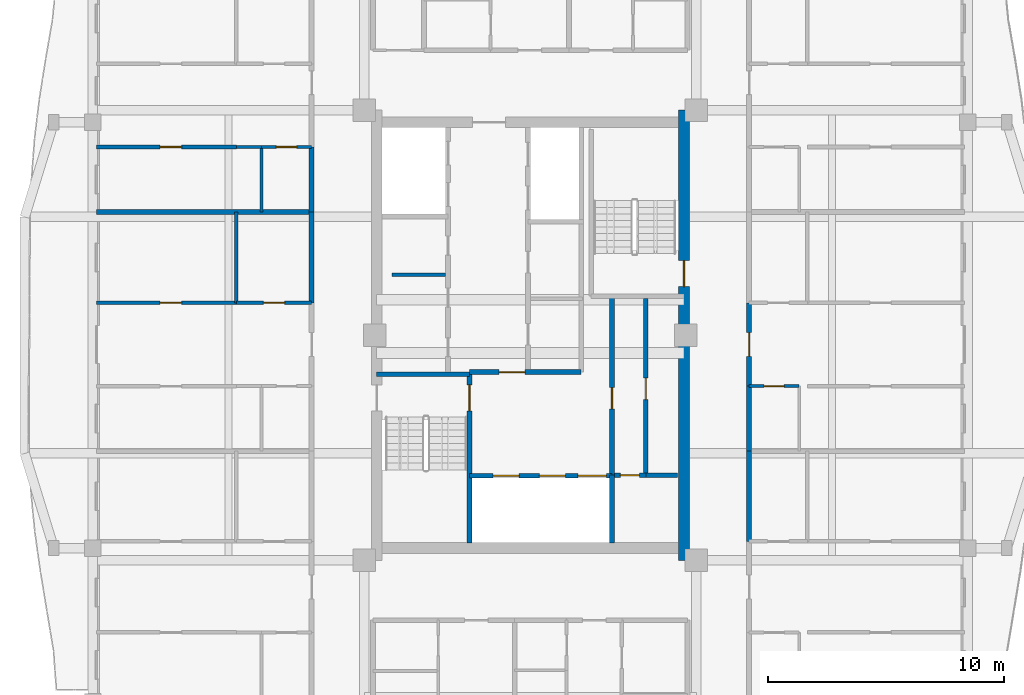
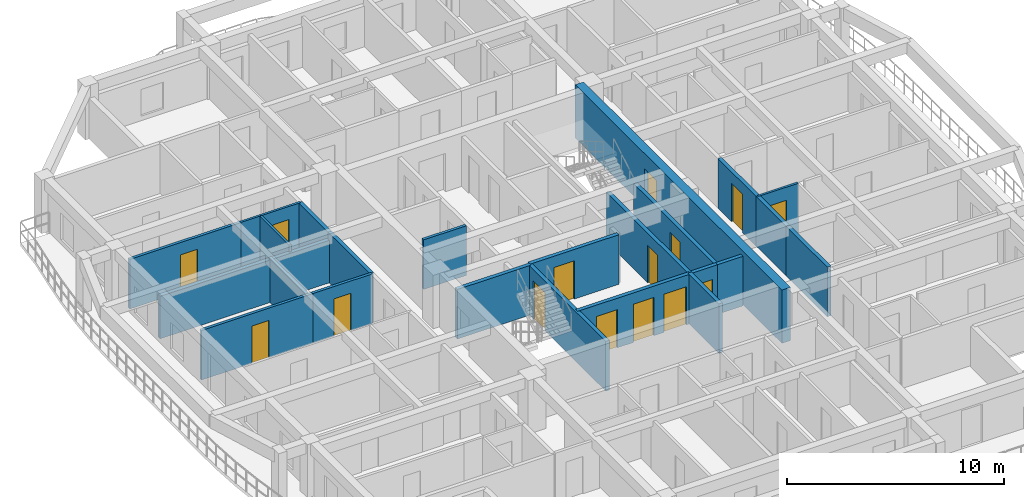
# One storey, part 4 of 14: 25 walls, 15 doors, 15 openings.
"""IFC4 building model written with IfcOpenShell, lengths in metres."""

from ifc_helpers import new_model, si_unit, direction, frame, frame_2d, origin, place, context, subcontext, project, spatial, rectangle, extrude, source, transform, mapped, material, layer, layer_set, type_object, element, fill, save


model = new_model("IFC4")

# Units and contexts
model_context = context("Model", 3, precision=1e-05, world=origin(), true_north=direction((0.0, 1.0)))
body_context = subcontext(model_context, "Body", "Model", "MODEL_VIEW")
ifc_project = project(units=[si_unit("LENGTHUNIT", "METRE"), si_unit("AREAUNIT", "SQUARE_METRE"), si_unit("VOLUMEUNIT", "CUBIC_METRE"), si_unit("PLANEANGLEUNIT", "RADIAN"), si_unit("MASSUNIT", "GRAM", prefix="KILO")], contexts=[model_context])

# Site, building, storey
site_placement = place(None, origin())
site = spatial("IfcSite", under=ifc_project, at=site_placement, CompositionType="ELEMENT")
building_placement = place(site_placement, origin())
building = spatial("IfcBuilding", under=site, at=building_placement, Name="Saelheon Loggia Tower", CompositionType="ELEMENT")
storey_placement = place(building_placement, frame((0.0, 0.0, 213.300048828125)))
storey = spatial("IfcBuildingStorey", under=building, at=storey_placement, Name="L66", CompositionType="ELEMENT", Elevation=213.300048828125)

# Wall, opening, door
ifc_material_1 = material(Name="Concrete C45/55", Category="concrete")
ifc_layer_1 = layer(ifc_material_1, 0.449951171875)
ifc_layer_set_1 = layer_set([ifc_layer_1], Name="Concrete C45/55")
wall_type_1 = type_object("IfcWallType", Name="Wall_CoreShear_450", PredefinedType="SHEAR", material=ifc_layer_set_1)
wall_1_placement = place(storey_placement, frame((44.5, 17.47998046875, 0.0), z_axis=(0.0, 0.0, 1.0), x_axis=(0.0, 1.0, 0.0)))
wall_1 = element("IfcWall", 1, at=wall_1_placement, inside=storey, type_object=wall_type_1, Name="L66 Core Shear Wall East", PredefinedType="SHEAR", context=body_context, shape_type="SweptSolid", body=[
    extrude(rectangle(XDim=19.0400390625, YDim=0.449951171875, at=frame_2d((9.52001953125, 0.0))), origin(), (0.0, 0.0, 1.0), 3.0),
])
opening_1_placement = place(wall_1_placement, frame((12.670166015625, 0.0, 0.0), z_axis=(0.0, 0.0, 1.0), x_axis=(-1.0, 0.0, 0.0)))
opening_1 = element("IfcOpeningElement", 2, at=opening_1_placement, cuts=wall_1, Name="Opening D-FD2", PredefinedType="OPENING", context=body_context, shape_type="SweptSolid", body=[
    extrude(rectangle(XDim=1.10009765625, YDim=2.14990234375, at=frame_2d((0.550048828125, 1.074951171875))), frame((0.0, 0.237060546875, 0.0), z_axis=(0.0, -1.0, 0.0), x_axis=(1.0, 0.0, 0.0)), (0.0, 0.0, 1.0), 0.473876953125),
])
ifc_material_2 = material(Name="Galvanised Steel Fire Door", Category="steel")
door_type_1 = type_object("IfcDoorType", Name="Door_Fire_FD60_1100", OperationType="NOTDEFINED", PredefinedType="DOOR", material=ifc_material_2)
shared_shape_1 = source(origin(), body_context, "Body", "SweptSolid", [
    extrude(rectangle(XDim=1.10009765625, YDim=2.14990234375, at=frame_2d((0.550048828125, 1.074951171875))), frame((0.0, 0.02490234375, 0.0), z_axis=(0.0, -1.0, 0.0), x_axis=(1.0, 0.0, 0.0)), (0.0, 0.0, 1.0), 0.050048828125),
])
door_1_placement = place(opening_1_placement, origin())
door_1 = element("IfcDoor", 3, at=door_1_placement, inside=storey, type_object=door_type_1, Name="L66 Stair ST2 Corridor Door", OperationType="SINGLE_SWING_RIGHT", OverallHeight=2.14990234375, OverallWidth=1.10009765625, PredefinedType="DOOR", context=body_context, shape_type="MappedRepresentation", body=[
    mapped(shared_shape_1, transform((0.0, 0.0, 0.0), scale=1.0)),
])
fill(opening_1, door_1)

# Walls
ifc_material_3 = material(Name="Lightweight Autoclaved Aerated Concrete Block and Acoustic Gypsum", Category="concrete")
ifc_layer_2 = layer(ifc_material_3, 0.14990234375)
ifc_layer_set_2 = layer_set([ifc_layer_2], Name="Lightweight Autoclaved Aerated Concrete Block and Acoustic Gypsum")
wall_type_2 = type_object("IfcWallType", Name="Wall_Part_150", PredefinedType="PARTITIONING", material=ifc_layer_set_2)
wall_2_placement = place(storey_placement, frame((32.14990234375, 29.550048828125, 0.0), z_axis=(0.0, 0.0, 1.0), x_axis=(1.0, 0.0, 0.0)))
element("IfcWall", 4, at=wall_2_placement, inside=storey, type_object=wall_type_2, Name="L66 Freed Core Partition PL1", PredefinedType="PARTITIONING", context=body_context, shape_type="SweptSolid", body=[
    extrude(rectangle(XDim=2.27001953125, YDim=0.14990234375, at=frame_2d((1.135009765625, 0.0))), origin(), (0.0, 0.0, 1.0), 2.7900390625),
])
wall_3_placement = place(storey_placement, frame((25.570068359375, 28.366455078125, 0.0), z_axis=(0.0, 0.0, 1.0), x_axis=(0.0, 1.0, 0.0)))
element("IfcWall", 5, at=wall_3_placement, inside=storey, type_object=wall_type_2, Name="L66 W Partition V18", PredefinedType="PARTITIONING", context=body_context, shape_type="SweptSolid", body=[
    extrude(rectangle(XDim=3.84228515625, YDim=0.14990234375, at=frame_2d((1.921142578125, 0.0))), origin(), (0.0, 0.0, 1.0), 2.489990234375),
])

# Wall, opening, door
wall_4_placement = place(storey_placement, frame((28.75, 28.366455078125, 0.0), z_axis=(0.0, 0.0, 1.0), x_axis=(-1.0, 0.0, 0.0)))
wall_4 = element("IfcWall", 6, at=wall_4_placement, inside=storey, type_object=wall_type_2, Name="L66 W Partition U22", PredefinedType="PARTITIONING", context=body_context, shape_type="SweptSolid", body=[
    extrude(rectangle(XDim=3.179931640625, YDim=0.14990234375, at=frame_2d((1.58984375, 0.0))), origin(), (0.0, 0.0, 1.0), 2.7900390625),
])
opening_2_placement = place(wall_4_placement, frame((1.139892578125, 0.0, 0.0)))
opening_2 = element("IfcOpeningElement", 7, at=opening_2_placement, cuts=wall_4, Name="Opening D-IN2", PredefinedType="OPENING", context=body_context, shape_type="SweptSolid", body=[
    extrude(rectangle(XDim=0.89990234375, YDim=2.10009765625, at=frame_2d((0.449951171875, 1.050048828125))), frame((0.0, 0.0869140625, 0.0), z_axis=(0.0, -1.0, 0.0), x_axis=(1.0, 0.0, 0.0)), (0.0, 0.0, 1.0), 0.173828125),
])
ifc_material_4 = material(Name="Engineered Oak Flush Door", Category="timber")
door_type_2 = type_object("IfcDoorType", Name="Door_Int_900", OperationType="NOTDEFINED", PredefinedType="DOOR", material=ifc_material_4)
shared_shape_2 = source(origin(), body_context, "Body", "SweptSolid", [
    extrude(rectangle(XDim=0.89990234375, YDim=2.10009765625, at=frame_2d((0.449951171875, 1.050048828125))), frame((0.0, 0.02490234375, 0.0), z_axis=(0.0, -1.0, 0.0), x_axis=(1.0, 0.0, 0.0)), (0.0, 0.0, 1.0), 0.050048828125),
])
door_2_placement = place(opening_2_placement, origin())
door_2 = element("IfcDoor", 8, at=door_2_placement, inside=storey, type_object=door_type_2, Name="Unit U06 Dressing Closet Door", OperationType="SINGLE_SWING_RIGHT", OverallHeight=2.10009765625, OverallWidth=0.89990234375, PredefinedType="DOOR", context=body_context, shape_type="MappedRepresentation", body=[
    mapped(shared_shape_2, transform((0.0, 0.0, 0.0), scale=1.0)),
])
fill(opening_2, door_2)

wall_5_placement = place(storey_placement, frame((25.570068359375, 28.366455078125, 0.0), z_axis=(0.0, 0.0, 1.0), x_axis=(-1.0, 0.0, 0.0)))
wall_5 = element("IfcWall", 9, at=wall_5_placement, inside=storey, type_object=wall_type_2, Name="L66 W Partition U23", PredefinedType="PARTITIONING", context=body_context, shape_type="SweptSolid", body=[
    extrude(rectangle(XDim=5.920166015625, YDim=0.14990234375, at=frame_2d((2.9599609375, 0.0))), origin(), (0.0, 0.0, 1.0), 2.7900390625),
])
opening_3_placement = place(wall_5_placement, frame((2.32080078125, 0.0, 0.0)))
opening_3 = element("IfcOpeningElement", 10, at=opening_3_placement, cuts=wall_5, Name="Opening D-IN2", PredefinedType="OPENING", context=body_context, shape_type="SweptSolid", body=[
    extrude(rectangle(XDim=0.89990234375, YDim=2.10009765625, at=frame_2d((0.449951171875, 1.050048828125))), frame((0.0, 0.0869140625, 0.0), z_axis=(0.0, -1.0, 0.0), x_axis=(1.0, 0.0, 0.0)), (0.0, 0.0, 1.0), 0.173828125),
])
door_3_placement = place(opening_3_placement, origin())
door_3 = element("IfcDoor", 11, at=door_3_placement, inside=storey, type_object=door_type_2, Name="Unit U06 Bedroom 1 Door", OperationType="SINGLE_SWING_LEFT", OverallHeight=2.10009765625, OverallWidth=0.89990234375, PredefinedType="DOOR", context=body_context, shape_type="MappedRepresentation", body=[
    mapped(shared_shape_2, transform((0.0, 0.0, 0.0), scale=1.0)),
])
fill(opening_3, door_3)

wall_6_placement = place(storey_placement, frame((25.570068359375, 34.958740234375, 0.0), z_axis=(0.0, 0.0, 1.0), x_axis=(-1.0, 0.0, 0.0)))
wall_6 = element("IfcWall", 12, at=wall_6_placement, inside=storey, type_object=wall_type_2, Name="L66 W Partition U32", PredefinedType="PARTITIONING", context=body_context, shape_type="SweptSolid", body=[
    extrude(rectangle(XDim=5.920166015625, YDim=0.14990234375, at=frame_2d((2.9599609375, 0.0))), origin(), (0.0, 0.0, 1.0), 2.7900390625),
])
opening_4_placement = place(wall_6_placement, frame((2.32080078125, 0.0, 0.0)))
opening_4 = element("IfcOpeningElement", 13, at=opening_4_placement, cuts=wall_6, Name="Opening D-IN2", PredefinedType="OPENING", context=body_context, shape_type="SweptSolid", body=[
    extrude(rectangle(XDim=0.89990234375, YDim=2.10009765625, at=frame_2d((0.449951171875, 1.050048828125))), frame((0.0, 0.0869140625, 0.0), z_axis=(0.0, -1.0, 0.0), x_axis=(1.0, 0.0, 0.0)), (0.0, 0.0, 1.0), 0.173828125),
])
door_4_placement = place(opening_4_placement, origin())
door_4 = element("IfcDoor", 14, at=door_4_placement, inside=storey, type_object=door_type_2, Name="Unit U07 Kitchen Door", OperationType="SINGLE_SWING_RIGHT", OverallHeight=2.10009765625, OverallWidth=0.89990234375, PredefinedType="DOOR", context=body_context, shape_type="MappedRepresentation", body=[
    mapped(shared_shape_2, transform((0.0, 0.0, 0.0), scale=1.0)),
])
fill(opening_4, door_4)

# Walls
ifc_material_5 = material(Name="Double Acoustic Stud and Fireboard Partition", Category="gypsum")
ifc_layer_3 = layer(ifc_material_5, 0.199951171875)
ifc_layer_set_3 = layer_set([ifc_layer_3], Name="Double Acoustic Stud and Fireboard Partition")
wall_type_3 = type_object("IfcWallType", Name="Wall_Party_200", PredefinedType="PARTITIONING", material=ifc_layer_set_3)
wall_7_placement = place(storey_placement, frame((28.75, 28.366455078125, 0.0), z_axis=(0.0, 0.0, 1.0), x_axis=(0.0, 1.0, 0.0)))
element("IfcWall", 15, at=wall_7_placement, inside=storey, type_object=wall_type_3, Name="L66 W Partition V16", PredefinedType="PARTITIONING", context=body_context, shape_type="SweptSolid", body=[
    extrude(rectangle(XDim=3.84228515625, YDim=0.199951171875, at=frame_2d((1.921142578125, 0.0))), origin(), (0.0, 0.0, 1.0), 2.7900390625),
])
wall_8_placement = place(storey_placement, frame((28.75, 32.208740234375, 0.0), z_axis=(0.0, 0.0, 1.0), x_axis=(-1.0, 0.0, 0.0)))
element("IfcWall", 16, at=wall_8_placement, inside=storey, type_object=wall_type_3, Name="L66 W Partition U24", PredefinedType="PARTITIONING", context=body_context, shape_type="SweptSolid", body=[
    extrude(rectangle(XDim=9.10009765625, YDim=0.199951171875, at=frame_2d((4.550048828125, 0.0))), origin(), (0.0, 0.0, 1.0), 2.389892578125),
])
wall_9_placement = place(storey_placement, frame((28.75, 32.208740234375, 0.0), z_axis=(0.0, 0.0, 1.0), x_axis=(0.0, 1.0, 0.0)))
element("IfcWall", 17, at=wall_9_placement, inside=storey, type_object=wall_type_3, Name="L66 W Partition V25", PredefinedType="PARTITIONING", context=body_context, shape_type="SweptSolid", body=[
    extrude(rectangle(XDim=2.75, YDim=0.199951171875, at=frame_2d((1.375, 0.0))), origin(), (0.0, 0.0, 1.0), 2.7900390625),
])
wall_10_placement = place(storey_placement, frame((47.25, 18.280029296875, 0.0), z_axis=(0.0, 0.0, 1.0), x_axis=(0.0, 1.0, 0.0)))
element("IfcWall", 18, at=wall_10_placement, inside=storey, type_object=wall_type_3, Name="L66 E Partition V05", PredefinedType="PARTITIONING", context=body_context, shape_type="SweptSolid", body=[
    extrude(rectangle(XDim=3.817626953125, YDim=0.199951171875, at=frame_2d((1.90869140625, 0.0))), origin(), (0.0, 0.0, 1.0), 2.7900390625),
])
wall_11_placement = place(storey_placement, frame((47.25, 22.09765625, 0.0), z_axis=(0.0, 0.0, 1.0), x_axis=(0.0, 1.0, 0.0)))
element("IfcWall", 19, at=wall_11_placement, inside=storey, type_object=wall_type_3, Name="L66 E Partition V13", PredefinedType="PARTITIONING", context=body_context, shape_type="SweptSolid", body=[
    extrude(rectangle(XDim=2.75, YDim=0.199951171875, at=frame_2d((1.375, 0.0))), origin(), (0.0, 0.0, 1.0), 2.7900390625),
])

# Wall, opening, door
wall_12_placement = place(storey_placement, frame((47.25, 24.84765625, 0.0), z_axis=(0.0, 0.0, 1.0), x_axis=(0.0, 1.0, 0.0)))
wall_12 = element("IfcWall", 20, at=wall_12_placement, inside=storey, type_object=wall_type_3, Name="L66 E Partition V14", PredefinedType="PARTITIONING", context=body_context, shape_type="SweptSolid", body=[
    extrude(rectangle(XDim=3.518798828125, YDim=0.199951171875, at=frame_2d((1.75927734375, 0.0))), origin(), (0.0, 0.0, 1.0), 2.7900390625),
])
opening_5_placement = place(wall_12_placement, frame((1.259521484375, 0.0, 0.0)))
opening_5 = element("IfcOpeningElement", 21, at=opening_5_placement, cuts=wall_12, Name="Opening D-FD1", PredefinedType="OPENING", context=body_context, shape_type="SweptSolid", body=[
    extrude(rectangle(XDim=1.0, YDim=2.14990234375, at=frame_2d((0.5, 1.074951171875))), frame((0.0, 0.112060546875, 0.0), z_axis=(0.0, -1.0, 0.0), x_axis=(1.0, 0.0, 0.0)), (0.0, 0.0, 1.0), 0.223876953125),
])
ifc_material_6 = material(Name="Fire-Rated Engineered Timber Entrance Door", Category="wood")
door_type_3 = type_object("IfcDoorType", Name="Door_Flat_FD30S", OperationType="NOTDEFINED", PredefinedType="DOOR", material=ifc_material_6)
shared_shape_3 = source(origin(), body_context, "Body", "SweptSolid", [
    extrude(rectangle(XDim=1.0, YDim=2.14990234375, at=frame_2d((0.5, 1.074951171875))), frame((0.0, 0.02490234375, 0.0), z_axis=(0.0, -1.0, 0.0), x_axis=(1.0, 0.0, 0.0)), (0.0, 0.0, 1.0), 0.050048828125),
])
door_5_placement = place(opening_5_placement, origin())
door_5 = element("IfcDoor", 22, at=door_5_placement, inside=storey, type_object=door_type_3, Name="Unit U09 Entrance Door", OperationType="SINGLE_SWING_RIGHT", OverallHeight=2.14990234375, OverallWidth=1.0, PredefinedType="DOOR", context=body_context, shape_type="MappedRepresentation", body=[
    mapped(shared_shape_3, transform((0.0, 0.0, 0.0), scale=1.0)),
])
fill(opening_5, door_5)

ifc_material_7 = material(Name="Concrete C40/50", Category="concrete")
ifc_layer_4 = layer(ifc_material_7, 0.199951171875)
ifc_layer_set_4 = layer_set([ifc_layer_4], Name="Concrete C40/50")
wall_type_4 = type_object("IfcWallType", Name="Wall_Shaft_200", PredefinedType="PARTITIONING", material=ifc_layer_set_4)
wall_13_placement = place(storey_placement, frame((41.550048828125, 21.080078125, 0.0), z_axis=(0.0, 0.0, 1.0), x_axis=(1.0, 0.0, 0.0)))
wall_13 = element("IfcWall", 23, at=wall_13_placement, inside=storey, type_object=wall_type_4, Name="CW-BOH-L66-HS", PredefinedType="PARTITIONING", context=body_context, shape_type="SweptSolid", body=[
    extrude(rectangle(XDim=1.329833984375, YDim=0.199951171875, at=frame_2d((0.6650390625, 0.0))), origin(), (0.0, 0.0, 1.0), 2.7900390625),
])
opening_6_placement = place(wall_13_placement, frame((0.260009765625, 0.0, 0.0)))
opening_6 = element("IfcOpeningElement", 24, at=opening_6_placement, cuts=wall_13, Name="Opening D-ST1", PredefinedType="OPENING", context=body_context, shape_type="SweptSolid", body=[
    extrude(rectangle(XDim=0.800048828125, YDim=2.050048828125, at=frame_2d((0.39990234375, 1.02490234375))), frame((0.0, 0.112060546875, 0.0), z_axis=(0.0, -1.0, 0.0), x_axis=(1.0, 0.0, 0.0)), (0.0, 0.0, 1.0), 0.223876953125),
])
ifc_material_8 = material(Name="Powder-Coated Steel Store Door", Category="steel")
door_type_4 = type_object("IfcDoorType", Name="Door_Store_800", OperationType="NOTDEFINED", PredefinedType="DOOR", material=ifc_material_8)
shared_shape_4 = source(origin(), body_context, "Body", "SweptSolid", [
    extrude(rectangle(XDim=0.800048828125, YDim=2.050048828125, at=frame_2d((0.39990234375, 1.02490234375))), frame((0.0, 0.02490234375, 0.0), z_axis=(0.0, -1.0, 0.0), x_axis=(1.0, 0.0, 0.0)), (0.0, 0.0, 1.0), 0.050048828125),
])
door_6_placement = place(opening_6_placement, origin())
door_6 = element("IfcDoor", 25, at=door_6_placement, inside=storey, type_object=door_type_4, Name="L66 Electrical Riser Door", OperationType="SINGLE_SWING_LEFT", OverallHeight=2.050048828125, OverallWidth=0.800048828125, PredefinedType="DOOR", context=body_context, shape_type="MappedRepresentation", body=[
    mapped(shared_shape_4, transform((0.0, 0.0, 0.0), scale=1.0)),
])
fill(opening_6, door_6)

# Wall
wall_14_placement = place(storey_placement, frame((42.8798828125, 21.080078125, 0.0), z_axis=(0.0, 0.0, 1.0), x_axis=(1.0, 0.0, 0.0)))
element("IfcWall", 26, at=wall_14_placement, inside=storey, type_object=wall_type_4, Name="CW-BOH-L66-HS2", PredefinedType="PARTITIONING", context=body_context, shape_type="SweptSolid", body=[
    extrude(rectangle(XDim=1.340087890625, YDim=0.199951171875, at=frame_2d((0.669921875, 0.0))), origin(), (0.0, 0.0, 1.0), 2.7900390625),
])

# Wall, opening, door
wall_15_placement = place(storey_placement, frame((42.8798828125, 21.080078125, 0.0), z_axis=(0.0, 0.0, 1.0), x_axis=(0.0, 1.0, 0.0)))
wall_15 = element("IfcWall", 27, at=wall_15_placement, inside=storey, type_object=wall_type_4, Name="CW-BOH-L66-VS", PredefinedType="PARTITIONING", context=body_context, shape_type="SweptSolid", body=[
    extrude(rectangle(XDim=7.469970703125, YDim=0.199951171875, at=frame_2d((3.73486328125, 0.0))), origin(), (0.0, 0.0, 1.0), 2.7900390625),
])
opening_7_placement = place(wall_15_placement, frame((3.199951171875, 0.0, 0.0)))
opening_7 = element("IfcOpeningElement", 28, at=opening_7_placement, cuts=wall_15, Name="Opening D-RS1", PredefinedType="OPENING", context=body_context, shape_type="SweptSolid", body=[
    extrude(rectangle(XDim=0.89990234375, YDim=2.10009765625, at=frame_2d((0.449951171875, 1.050048828125))), frame((0.0, 0.112060546875, 0.0), z_axis=(0.0, -1.0, 0.0), x_axis=(1.0, 0.0, 0.0)), (0.0, 0.0, 1.0), 0.223876953125),
])
ifc_material_9 = material(Name="Galvanised Steel Riser Access Door", Category="steel")
door_type_5 = type_object("IfcDoorType", Name="Door_Riser_FD60", OperationType="NOTDEFINED", PredefinedType="DOOR", material=ifc_material_9)
door_7_placement = place(opening_7_placement, origin())
door_7 = element("IfcDoor", 29, at=door_7_placement, inside=storey, type_object=door_type_5, Name="L66 Linen Store Door", OperationType="SINGLE_SWING_RIGHT", OverallHeight=2.10009765625, OverallWidth=0.89990234375, PredefinedType="DOOR", context=body_context, shape_type="MappedRepresentation", body=[
    mapped(shared_shape_2, transform((0.0, 0.0, 0.0), scale=1.0)),
])
fill(opening_7, door_7)

# Wall
wall_16_placement = place(storey_placement, frame((41.449951171875, 18.219970703125, 0.0), z_axis=(0.0, 0.0, 1.0), x_axis=(0.0, 1.0, 0.0)))
element("IfcWall", 30, at=wall_16_placement, inside=storey, type_object=wall_type_4, Name="CW-INT-L66-BOH-W0", PredefinedType="PARTITIONING", context=body_context, shape_type="SweptSolid", body=[
    extrude(rectangle(XDim=2.860107421875, YDim=0.199951171875, at=frame_2d((1.43017578125, 0.0))), origin(), (0.0, 0.0, 1.0), 2.7900390625),
])

# Wall, opening, door
wall_17_placement = place(storey_placement, frame((41.449951171875, 21.080078125, 0.0), z_axis=(0.0, 0.0, 1.0), x_axis=(0.0, 1.0, 0.0)))
wall_17 = element("IfcWall", 31, at=wall_17_placement, inside=storey, type_object=wall_type_4, Name="CW-INT-L66-BOH-W1", PredefinedType="PARTITIONING", context=body_context, shape_type="SweptSolid", body=[
    extrude(rectangle(XDim=7.52001953125, YDim=0.199951171875, at=frame_2d((3.760009765625, 0.0))), origin(), (0.0, 0.0, 1.0), 2.7900390625),
])
opening_8_placement = place(wall_17_placement, frame((2.800048828125, 0.0, 0.0)))
opening_8 = element("IfcOpeningElement", 32, at=opening_8_placement, cuts=wall_17, Name="Opening D-RS1", PredefinedType="OPENING", context=body_context, shape_type="SweptSolid", body=[
    extrude(rectangle(XDim=0.89990234375, YDim=2.10009765625, at=frame_2d((0.449951171875, 1.050048828125))), frame((0.0, 0.112060546875, 0.0), z_axis=(0.0, -1.0, 0.0), x_axis=(1.0, 0.0, 0.0)), (0.0, 0.0, 1.0), 0.223876953125),
])
door_8_placement = place(opening_8_placement, origin())
door_8 = element("IfcDoor", 33, at=door_8_placement, inside=storey, type_object=door_type_5, Name="L66 Service Store Door", OperationType="SINGLE_SWING_LEFT", OverallHeight=2.10009765625, OverallWidth=0.89990234375, PredefinedType="DOOR", context=body_context, shape_type="MappedRepresentation", body=[
    mapped(shared_shape_2, transform((0.0, 0.0, 0.0), scale=1.0)),
])
fill(opening_8, door_8)

# Wall, openings, doors
wall_18_placement = place(storey_placement, frame((35.429931640625, 21.06005859375, 0.0), z_axis=(0.0, 0.0, 1.0), x_axis=(1.0, 0.0, 0.0)))
wall_18 = element("IfcWall", 34, at=wall_18_placement, inside=storey, type_object=wall_type_4, Name="L66 Firefighting Lift Shaft Front Wall", PredefinedType="PARTITIONING", context=body_context, shape_type="SweptSolid", body=[
    extrude(rectangle(XDim=6.02001953125, YDim=0.199951171875, at=frame_2d((3.010009765625, 0.0))), origin(), (0.0, 0.0, 1.0), 2.7900390625),
])
opening_9_placement = place(wall_18_placement, frame((1.0, 0.0, 0.0)))
opening_9 = element("IfcOpeningElement", 35, at=opening_9_placement, cuts=wall_18, Name="Opening LD2", PredefinedType="OPENING", context=body_context, shape_type="SweptSolid", body=[
    extrude(rectangle(XDim=1.10009765625, YDim=2.14990234375, at=frame_2d((0.550048828125, 1.074951171875))), frame((0.0, 0.112060546875, 0.0), z_axis=(0.0, -1.0, 0.0), x_axis=(1.0, 0.0, 0.0)), (0.0, 0.0, 1.0), 0.223876953125),
])
opening_10_placement = place(wall_18_placement, frame((2.949951171875, 0.0, 0.0)))
opening_10 = element("IfcOpeningElement", 36, at=opening_10_placement, cuts=wall_18, Name="Opening LD2", PredefinedType="OPENING", context=body_context, shape_type="SweptSolid", body=[
    extrude(rectangle(XDim=1.10009765625, YDim=2.14990234375, at=frame_2d((0.550048828125, 1.074951171875))), frame((0.0, 0.112060546875, 0.0), z_axis=(0.0, -1.0, 0.0), x_axis=(1.0, 0.0, 0.0)), (0.0, 0.0, 1.0), 0.223876953125),
])
opening_11_placement = place(wall_18_placement, frame((4.580078125, 0.0, 0.0)))
opening_11 = element("IfcOpeningElement", 37, at=opening_11_placement, cuts=wall_18, Name="Opening LD3", PredefinedType="OPENING", context=body_context, shape_type="SweptSolid", body=[
    extrude(rectangle(XDim=1.199951171875, YDim=2.14990234375, at=frame_2d((0.60009765625, 1.074951171875))), frame((0.0, 0.112060546875, 0.0), z_axis=(0.0, -1.0, 0.0), x_axis=(1.0, 0.0, 0.0)), (0.0, 0.0, 1.0), 0.223876953125),
])
ifc_material_10 = material(Name="Firefighting Stainless Steel 316 Landing Door", Category="steel")
door_type_6 = type_object("IfcDoorType", Name="Door_Lift_LD2", OperationType="DOUBLE_DOOR_SLIDING", PredefinedType="DOOR", material=ifc_material_10)
door_9_placement = place(opening_9_placement, origin())
door_9 = element("IfcDoor", 38, at=door_9_placement, inside=storey, type_object=door_type_6, Name="L66 FF1 Landing Door", OperationType="DOUBLE_DOOR_SLIDING", OverallHeight=2.14990234375, OverallWidth=1.10009765625, PredefinedType="DOOR", context=body_context, shape_type="MappedRepresentation", body=[
    mapped(shared_shape_1, transform((0.0, 0.0, 0.0), scale=1.0)),
])
fill(opening_9, door_9)
door_10_placement = place(opening_10_placement, origin())
door_10 = element("IfcDoor", 39, at=door_10_placement, inside=storey, type_object=door_type_6, Name="L66 FF2 Landing Door", OperationType="DOUBLE_DOOR_SLIDING", OverallHeight=2.14990234375, OverallWidth=1.10009765625, PredefinedType="DOOR", context=body_context, shape_type="MappedRepresentation", body=[
    mapped(shared_shape_1, transform((0.0, 0.0, 0.0), scale=1.0)),
])
fill(opening_10, door_10)
ifc_material_11 = material(Name="Stretcher Lift Stainless Steel 304 Landing Door", Category="steel")
door_type_7 = type_object("IfcDoorType", Name="Door_Lift_LD3", OperationType="DOUBLE_DOOR_SLIDING", PredefinedType="DOOR", material=ifc_material_11)
shared_shape_5 = source(origin(), body_context, "Body", "SweptSolid", [
    extrude(rectangle(XDim=1.199951171875, YDim=2.14990234375, at=frame_2d((0.60009765625, 1.074951171875))), frame((0.0, 0.02490234375, 0.0), z_axis=(0.0, -1.0, 0.0), x_axis=(1.0, 0.0, 0.0)), (0.0, 0.0, 1.0), 0.050048828125),
])
door_11_placement = place(opening_11_placement, origin())
door_11 = element("IfcDoor", 40, at=door_11_placement, inside=storey, type_object=door_type_7, Name="L66 SV1 Landing Door", OperationType="DOUBLE_DOOR_SLIDING", OverallHeight=2.14990234375, OverallWidth=1.199951171875, PredefinedType="DOOR", context=body_context, shape_type="MappedRepresentation", body=[
    mapped(shared_shape_5, transform((0.0, 0.0, 0.0), scale=1.0)),
])
fill(opening_11, door_11)

# Wall, opening, door
wall_19_placement = place(storey_placement, frame((35.429931640625, 25.43994140625, 0.0), z_axis=(0.0, 0.0, 1.0), x_axis=(1.0, 0.0, 0.0)))
wall_19 = element("IfcWall", 41, at=wall_19_placement, inside=storey, type_object=wall_type_4, Name="L66 Firefighting Lobby Compartment Wall", PredefinedType="PARTITIONING", context=body_context, shape_type="SweptSolid", body=[
    extrude(rectangle(XDim=4.719970703125, YDim=0.199951171875, at=frame_2d((2.35986328125, 0.0))), origin(), (0.0, 0.0, 1.0), 2.7900390625),
])
opening_12_placement = place(wall_19_placement, frame((1.25, 0.0, 0.0)))
opening_12 = element("IfcOpeningElement", 42, at=opening_12_placement, cuts=wall_19, Name="Opening D-FD2", PredefinedType="OPENING", context=body_context, shape_type="SweptSolid", body=[
    extrude(rectangle(XDim=1.10009765625, YDim=2.14990234375, at=frame_2d((0.550048828125, 1.074951171875))), frame((0.0, 0.112060546875, 0.0), z_axis=(0.0, -1.0, 0.0), x_axis=(1.0, 0.0, 0.0)), (0.0, 0.0, 1.0), 0.223876953125),
])
door_12_placement = place(opening_12_placement, origin())
door_12 = element("IfcDoor", 43, at=door_12_placement, inside=storey, type_object=door_type_1, Name="L66 Firefighting Lobby Door", OperationType="SINGLE_SWING_RIGHT", OverallHeight=2.14990234375, OverallWidth=1.10009765625, PredefinedType="DOOR", context=body_context, shape_type="MappedRepresentation", body=[
    mapped(shared_shape_1, transform((0.0, 0.0, 0.0), scale=1.0)),
])
fill(opening_12, door_12)

ifc_layer_5 = layer(ifc_material_1, 0.199951171875)
ifc_layer_set_5 = layer_set([ifc_layer_5], Name="Concrete C45/55")
wall_type_5 = type_object("IfcWallType", Name="Wall_StairShaft_RC200", PredefinedType="SOLIDWALL", material=ifc_layer_set_5)
wall_20_placement = place(storey_placement, frame((35.429931640625, 18.219970703125, 0.0), z_axis=(0.0, 0.0, 1.0), x_axis=(0.0, 1.0, 0.0)))
wall_20 = element("IfcWall", 44, at=wall_20_placement, inside=storey, type_object=wall_type_5, Name="L66 Stair ST1 Shaft Wall", PredefinedType="SOLIDWALL", context=body_context, shape_type="SweptSolid", body=[
    extrude(rectangle(XDim=7.219970703125, YDim=0.199951171875, at=frame_2d((3.60986328125, 0.0))), origin(), (0.0, 0.0, 1.0), 2.7900390625),
])
opening_13_placement = place(wall_20_placement, frame((6.68017578125, 0.0, 0.0), z_axis=(0.0, 0.0, 1.0), x_axis=(-1.0, 0.0, 0.0)))
opening_13 = element("IfcOpeningElement", 45, at=opening_13_placement, cuts=wall_20, Name="Opening D-FD2", PredefinedType="OPENING", context=body_context, shape_type="SweptSolid", body=[
    extrude(rectangle(XDim=1.10009765625, YDim=2.14990234375, at=frame_2d((0.550048828125, 1.074951171875))), frame((0.0, 0.112060546875, 0.0), z_axis=(0.0, -1.0, 0.0), x_axis=(1.0, 0.0, 0.0)), (0.0, 0.0, 1.0), 0.223876953125),
])
door_13_placement = place(opening_13_placement, origin())
door_13 = element("IfcDoor", 46, at=door_13_placement, inside=storey, type_object=door_type_1, Name="L66 Stair ST1 Lobby Door", OperationType="SINGLE_SWING_LEFT", OverallHeight=2.14990234375, OverallWidth=1.10009765625, PredefinedType="DOOR", context=body_context, shape_type="MappedRepresentation", body=[
    mapped(shared_shape_1, transform((0.0, 0.0, 0.0), scale=1.0)),
])
fill(opening_13, door_13)

# Walls
wall_21_placement = place(storey_placement, frame((31.5, 25.35009765625, 0.0), z_axis=(0.0, 0.0, 1.0), x_axis=(1.0, 0.0, 0.0)))
element("IfcWall", 47, at=wall_21_placement, inside=storey, type_object=wall_type_5, Name="L66 Stair ST1 North Wall", PredefinedType="SOLIDWALL", context=body_context, shape_type="SweptSolid", body=[
    extrude(rectangle(XDim=3.929931640625, YDim=0.199951171875, at=frame_2d((1.96484375, 0.0))), origin(), (0.0, 0.0, 1.0), 2.7900390625),
])
ifc_material_12 = material(Name="Moisture-Resistant Cement Board Partition", Category="gypsum")
ifc_layer_6 = layer(ifc_material_12, 0.1201171875)
ifc_layer_set_6 = layer_set([ifc_layer_6], Name="Moisture-Resistant Cement Board Partition")
wall_type_6 = type_object("IfcWallType", Name="Wall_WetPart_120", PredefinedType="PARTITIONING", material=ifc_layer_set_6)
wall_22_placement = place(storey_placement, frame((26.6298828125, 32.208740234375, 0.0), z_axis=(0.0, 0.0, 1.0), x_axis=(0.0, 1.0, 0.0)))
element("IfcWall", 48, at=wall_22_placement, inside=storey, type_object=wall_type_6, Name="L66 W Partition V28", PredefinedType="PARTITIONING", context=body_context, shape_type="SweptSolid", body=[
    extrude(rectangle(XDim=2.75, YDim=0.1201171875, at=frame_2d((1.375, 0.0))), origin(), (0.0, 0.0, 1.0), 2.7900390625),
])

# Wall, opening, door
wall_23_placement = place(storey_placement, frame((28.75, 34.958740234375, 0.0), z_axis=(0.0, 0.0, 1.0), x_axis=(-1.0, 0.0, 0.0)))
wall_23 = element("IfcWall", 49, at=wall_23_placement, inside=storey, type_object=wall_type_6, Name="L66 W Partition U30", PredefinedType="PARTITIONING", context=body_context, shape_type="SweptSolid", body=[
    extrude(rectangle(XDim=2.1201171875, YDim=0.1201171875, at=frame_2d((1.06005859375, 0.0))), origin(), (0.0, 0.0, 1.0), 2.7900390625),
])
opening_14_placement = place(wall_23_placement, frame((0.635009765625, 0.0, 0.0)))
opening_14 = element("IfcOpeningElement", 50, at=opening_14_placement, cuts=wall_23, Name="Opening D-BT1", PredefinedType="OPENING", context=body_context, shape_type="SweptSolid", body=[
    extrude(rectangle(XDim=0.85009765625, YDim=2.050048828125, at=frame_2d((0.425048828125, 1.02490234375))), frame((0.0, 0.072021484375, 0.0), z_axis=(0.0, -1.0, 0.0), x_axis=(1.0, 0.0, 0.0)), (0.0, 0.0, 1.0), 0.14404296875),
])
ifc_material_13 = material(Name="Moisture-Resistant Laminate Timber Door", Category="wood")
door_type_8 = type_object("IfcDoorType", Name="Door_Bath_850", OperationType="NOTDEFINED", PredefinedType="DOOR", material=ifc_material_13)
shared_shape_6 = source(origin(), body_context, "Body", "SweptSolid", [
    extrude(rectangle(XDim=0.85009765625, YDim=2.050048828125, at=frame_2d((0.425048828125, 1.02490234375))), frame((0.0, 0.02490234375, 0.0), z_axis=(0.0, -1.0, 0.0), x_axis=(1.0, 0.0, 0.0)), (0.0, 0.0, 1.0), 0.050048828125),
])
door_14_placement = place(opening_14_placement, origin())
door_14 = element("IfcDoor", 51, at=door_14_placement, inside=storey, type_object=door_type_8, Name="Unit U07 Bathroom Door", OperationType="SINGLE_SWING_LEFT", OverallHeight=2.050048828125, OverallWidth=0.85009765625, PredefinedType="DOOR", context=body_context, shape_type="MappedRepresentation", body=[
    mapped(shared_shape_6, transform((0.0, 0.0, 0.0), scale=1.0)),
])
fill(opening_14, door_14)

# Wall
wall_24_placement = place(storey_placement, frame((26.6298828125, 34.958740234375, 0.0), z_axis=(0.0, 0.0, 1.0), x_axis=(-1.0, 0.0, 0.0)))
element("IfcWall", 52, at=wall_24_placement, inside=storey, type_object=wall_type_6, Name="L66 W Partition U31", PredefinedType="PARTITIONING", context=body_context, shape_type="SweptSolid", body=[
    extrude(rectangle(XDim=1.059814453125, YDim=0.1201171875, at=frame_2d((0.52978515625, 0.0))), origin(), (0.0, 0.0, 1.0), 2.7900390625),
])

# Wall, opening, door
wall_25_placement = place(storey_placement, frame((47.25, 24.84765625, 0.0), z_axis=(0.0, 0.0, 1.0), x_axis=(1.0, 0.0, 0.0)))
wall_25 = element("IfcWall", 53, at=wall_25_placement, inside=storey, type_object=wall_type_6, Name="L66 E Partition U18", PredefinedType="PARTITIONING", context=body_context, shape_type="SweptSolid", body=[
    extrude(rectangle(XDim=2.1201171875, YDim=0.1201171875, at=frame_2d((1.06005859375, 0.0))), origin(), (0.0, 0.0, 1.0), 2.7900390625),
])
opening_15_placement = place(wall_25_placement, frame((0.635009765625, 0.0, 0.0)))
opening_15 = element("IfcOpeningElement", 54, at=opening_15_placement, cuts=wall_25, Name="Opening D-BT1", PredefinedType="OPENING", context=body_context, shape_type="SweptSolid", body=[
    extrude(rectangle(XDim=0.85009765625, YDim=2.050048828125, at=frame_2d((0.425048828125, 1.02490234375))), frame((0.0, 0.072021484375, 0.0), z_axis=(0.0, -1.0, 0.0), x_axis=(1.0, 0.0, 0.0)), (0.0, 0.0, 1.0), 0.14404296875),
])
door_15_placement = place(opening_15_placement, origin())
door_15 = element("IfcDoor", 55, at=door_15_placement, inside=storey, type_object=door_type_8, Name="Unit U09 Bathroom Door", OperationType="SINGLE_SWING_LEFT", OverallHeight=2.050048828125, OverallWidth=0.85009765625, PredefinedType="DOOR", context=body_context, shape_type="MappedRepresentation", body=[
    mapped(shared_shape_6, transform((0.0, 0.0, 0.0), scale=1.0)),
])
fill(opening_15, door_15)

save(model, "model.ifc")
